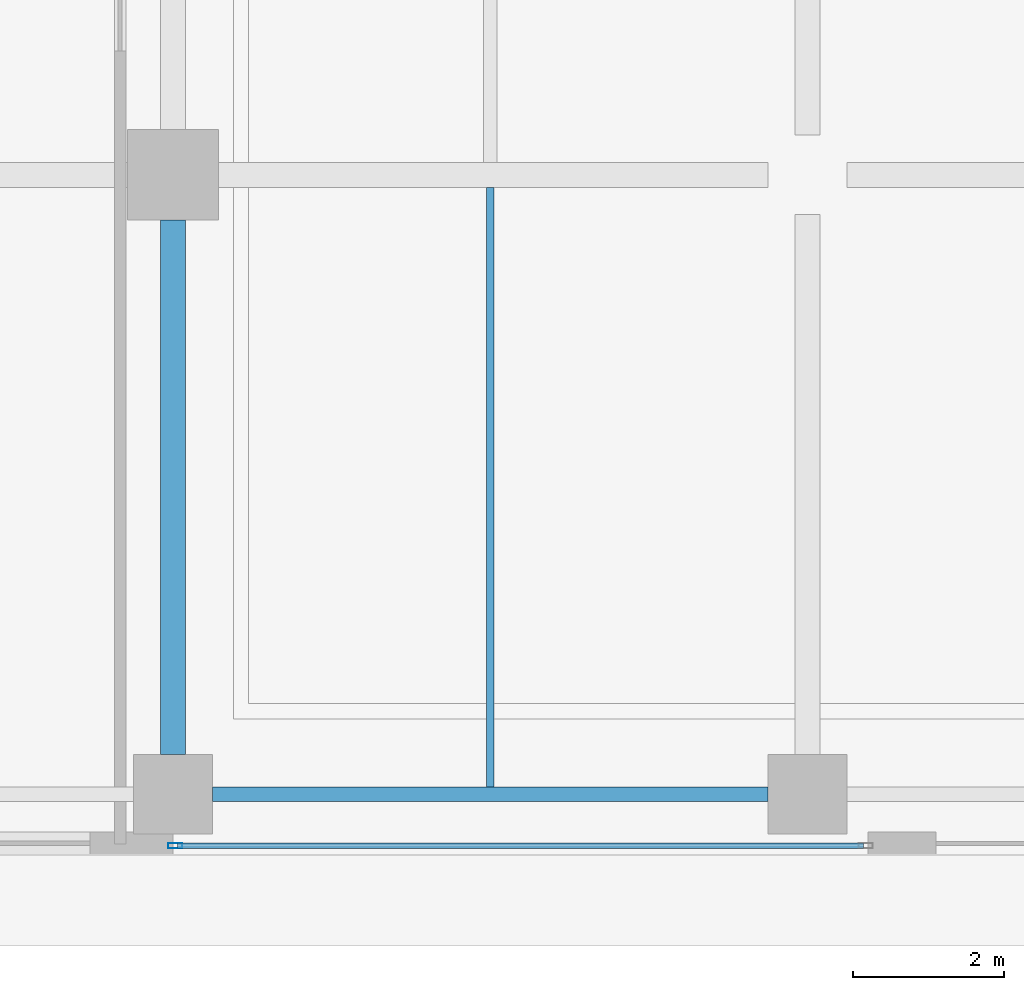
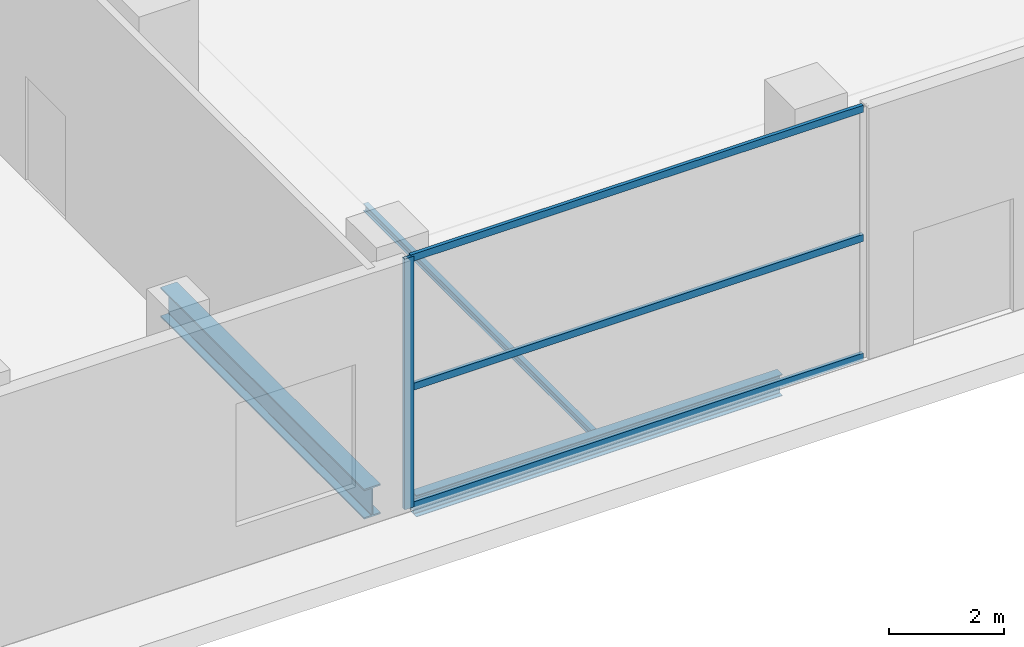
# One storey, part 8 of 35: 4 members, 3 beams, 1 element without a shape of its own.
"""IFC4 building model written with IfcOpenShell, lengths in metres."""

from ifc_helpers import new_model, si_unit, direction, frame, origin, origin_2d, place, context, subcontext, project, spatial, hollow_rectangle, i_section, extrude, material, layer, layer_set, material_profile, profile_set, type_object, element, aggregate, save


model = new_model("IFC4")

# Units and contexts
model_context = context("Model", 3, precision=1e-05, world=origin(), true_north=direction((0.0, 1.0)))
body_context = subcontext(model_context, "Body", "Model", "MODEL_VIEW")
ifc_project = project(units=[si_unit("LENGTHUNIT", "METRE"), si_unit("AREAUNIT", "SQUARE_METRE"), si_unit("VOLUMEUNIT", "CUBIC_METRE"), si_unit("PLANEANGLEUNIT", "RADIAN"), si_unit("MASSUNIT", "GRAM", prefix="KILO")], contexts=[model_context])

# Site, building, storey
site_placement = place(None, origin())
site = spatial("IfcSite", under=ifc_project, at=site_placement, CompositionType="ELEMENT")
building_placement = place(site_placement, origin())
building = spatial("IfcBuilding", under=site, at=building_placement, Name="Maruvema Waterfront Hotel and Observation Tower", CompositionType="ELEMENT")
storey_placement = place(building_placement, origin())
storey = spatial("IfcBuildingStorey", under=building, at=storey_placement, Name="L00", CompositionType="ELEMENT", Elevation=0.0)

# Curtain wall, members
ifc_material_1 = material(Name="Anodised bronze aluminium and solar-control low-E IGU", Category="aluminium")
ifc_layer = layer(ifc_material_1, 0.159912109375, Name="Podium Waterfront Storefront Curtain Wall System CW-01")
ifc_layer_set = layer_set([ifc_layer], Name="Anodised bronze aluminium and solar-control low-E IGU")
curtain_wall_type = type_object("IfcCurtainWallType", Name="Podium Waterfront Storefront Curtain Wall System CW-01", PredefinedType="USERDEFINED", material=ifc_layer_set)
curtain_wall_placement = place(storey_placement, origin())
curtain_wall = element("IfcCurtainWall", 1, at=curtain_wall_placement, inside=storey, type_object=curtain_wall_type, Name="L00 Curtain Wall CW-L00-SW", ObjectType="UNITISED CURTAIN WALL", PredefinedType="USERDEFINED")
ifc_material_2 = material(Name="Anodised architectural bronze aluminium", Category="aluminium")
ifc_material_profile_1 = material_profile(ifc_material_2, hollow_rectangle(XDim=0.070068359375, YDim=0.14990234375, WallThickness=0.00390625, at=origin_2d()), Name="ALU-T70x150")
ifc_profile_set_1 = profile_set([ifc_material_profile_1], Name="Anodised architectural bronze aluminium")
member_type_1 = type_object("IfcMemberType", Name="Curtain Wall Horizontal Transom ALU-T70x150", PredefinedType="USERDEFINED", material=ifc_profile_set_1)
member_1_placement = place(storey_placement, frame((25.260009765625, 0.1201171875, 0.030029296875), z_axis=(1.0, 0.0, 0.0), x_axis=(0.0, 1.0, 0.0)))
member_1 = element("IfcMember", 2, at=member_1_placement, type_object=member_type_1, Name="CW-01 transom 1.1", ObjectType="TRANSOM", PredefinedType="USERDEFINED", context=body_context, shape_type="SweptSolid", body=[
    extrude(hollow_rectangle(XDim=0.070068359375, YDim=0.14990234375, WallThickness=0.00390625, at=origin_2d()), origin(), (0.0, 0.0, 1.0), 9.080078125),
])
member_2_placement = place(storey_placement, frame((25.260009765625, 0.1201171875, 2.550048828125), z_axis=(1.0, 0.0, 0.0), x_axis=(0.0, 1.0, 0.0)))
member_2 = element("IfcMember", 3, at=member_2_placement, type_object=member_type_1, Name="CW-01 transom 1.2", ObjectType="TRANSOM", PredefinedType="USERDEFINED", context=body_context, shape_type="SweptSolid", body=[
    extrude(hollow_rectangle(XDim=0.070068359375, YDim=0.14990234375, WallThickness=0.00390625, at=origin_2d()), origin(), (0.0, 0.0, 1.0), 9.080078125),
])
member_3_placement = place(storey_placement, frame((25.260009765625, 0.1201171875, 5.2900390625), z_axis=(1.0, 0.0, 0.0), x_axis=(0.0, 1.0, 0.0)))
member_3 = element("IfcMember", 4, at=member_3_placement, type_object=member_type_1, Name="CW-01 transom 1.3", ObjectType="TRANSOM", PredefinedType="USERDEFINED", context=body_context, shape_type="SweptSolid", body=[
    extrude(hollow_rectangle(XDim=0.070068359375, YDim=0.14990234375, WallThickness=0.00390625, at=origin_2d()), origin(), (0.0, 0.0, 1.0), 9.080078125),
])

# Beam
ifc_material_3 = material(Name="Steel ASTM A572 Grade 50", Category="steel")
ifc_material_profile_2 = material_profile(ifc_material_3, i_section(OverallWidth=0.18994140625, OverallDepth=0.45703125, WebThickness=0.009033203125, FlangeThickness=0.014404296875, FilletRadius=0.014892578125, at=origin_2d()), Name="W460x74.0")
ifc_profile_set_2 = profile_set([ifc_material_profile_2], Name="Steel ASTM A572 Grade 50")
beam_type_1 = type_object("IfcBeamType", Name="Perimeter Spandrel Beam W460x74.0", PredefinedType="SPANDREL", material=ifc_profile_set_2)
beam_1_placement = place(storey_placement, frame((25.72509765625, 0.800048828125, -0.508544921875), z_axis=(1.0, 0.0, 0.0), x_axis=(0.0, 1.0, 0.0)))
element("IfcBeam", 5, at=beam_1_placement, inside=storey, type_object=beam_type_1, Name="L00 Floor Girder EW-04", PredefinedType="SPANDREL", context=body_context, shape_type="SweptSolid", body=[
    extrude(i_section(OverallWidth=0.18994140625, OverallDepth=0.45703125, WebThickness=0.009033203125, FlangeThickness=0.014404296875, FilletRadius=0.014892578125, at=origin_2d()), origin(), (0.0, 0.0, 1.0), 7.349853515625),
])

# Member
ifc_material_4 = material(Name="Anodised architectural bronze aluminium", Category="aluminium")
ifc_material_profile_3 = material_profile(ifc_material_4, hollow_rectangle(XDim=0.070068359375, YDim=0.18994140625, WallThickness=0.00390625, at=origin_2d()), Name="ALU-M70x190")
ifc_profile_set_3 = profile_set([ifc_material_profile_3], Name="Anodised architectural bronze aluminium")
member_type_2 = type_object("IfcMemberType", Name="Podium Storefront Heavy Mullion ALU-M70x190", PredefinedType="MULLION", material=ifc_profile_set_3)
member_4_placement = place(storey_placement, frame((25.22998046875, 0.1201171875, 0.0), z_axis=(0.0, 0.0, 1.0), x_axis=(0.0, 1.0, 0.0)))
member_4 = element("IfcMember", 6, at=member_4_placement, type_object=member_type_2, Name="CW-01 mullion 1", PredefinedType="MULLION", context=body_context, shape_type="SweptSolid", body=[
    extrude(hollow_rectangle(XDim=0.070068359375, YDim=0.18994140625, WallThickness=0.00390625, at=origin_2d()), origin(), (0.0, 0.0, 1.0), 5.320068359375),
])

aggregate(curtain_wall, [member_4, member_1, member_2, member_3])

# Beams
ifc_material_5 = material(Name="Steel ASTM A572 Grade 50", Category="steel")
ifc_material_profile_4 = material_profile(ifc_material_5, i_section(OverallWidth=0.3291015625, OverallDepth=0.635009765625, WebThickness=0.017822265625, FlangeThickness=0.031005859375, FilletRadius=0.01806640625, at=origin_2d()), Name="W610x241.0")
ifc_profile_set_4 = profile_set([ifc_material_profile_4], Name="Steel ASTM A572 Grade 50")
beam_type_2 = type_object("IfcBeamType", Name="Primary Floor Girder W610x241.0", PredefinedType="BEAM", material=ifc_profile_set_4)
beam_2_placement = place(storey_placement, frame((25.199951171875, 1.324951171875, -0.597412109375), z_axis=(0.0, 1.0, 0.0), x_axis=(-1.0, 0.0, 0.0)))
element("IfcBeam", 7, at=beam_2_placement, inside=storey, type_object=beam_type_2, Name="L00 Floor Girder NS-13", PredefinedType="BEAM", context=body_context, shape_type="SweptSolid", body=[
    extrude(i_section(OverallWidth=0.3291015625, OverallDepth=0.635009765625, WebThickness=0.017822265625, FlangeThickness=0.031005859375, FilletRadius=0.01806640625, at=origin_2d()), origin(), (0.0, 0.0, 1.0), 7.074951171875),
])
ifc_material_6 = material(Name="Steel ASTM A572 Grade 50", Category="steel")
ifc_material_profile_5 = material_profile(ifc_material_6, i_section(OverallWidth=0.10009765625, OverallDepth=0.153076171875, WebThickness=0.005859375, FlangeThickness=0.007080078125, FilletRadius=0.008056640625, at=origin_2d()), Name="W150x18.0")
ifc_profile_set_5 = profile_set([ifc_material_profile_5], Name="Steel ASTM A572 Grade 50")
beam_type_3 = type_object("IfcBeamType", Name="Secondary Floor Joist W150x18.0", PredefinedType="JOIST", material=ifc_profile_set_5)
beam_3_placement = place(storey_placement, frame((29.39990234375, 0.89501953125, -0.3564453125), z_axis=(0.0, 1.0, 0.0), x_axis=(-1.0, 0.0, 0.0)))
element("IfcBeam", 8, at=beam_3_placement, inside=storey, type_object=beam_type_3, Name="L00 Secondary Floor Joist JS-09", PredefinedType="JOIST", context=body_context, shape_type="SweptSolid", body=[
    extrude(i_section(OverallWidth=0.10009765625, OverallDepth=0.153076171875, WebThickness=0.005859375, FlangeThickness=0.007080078125, FilletRadius=0.008056640625, at=origin_2d()), origin(), (0.0, 0.0, 1.0), 7.9404296875),
])

save(model, "model.ifc")
